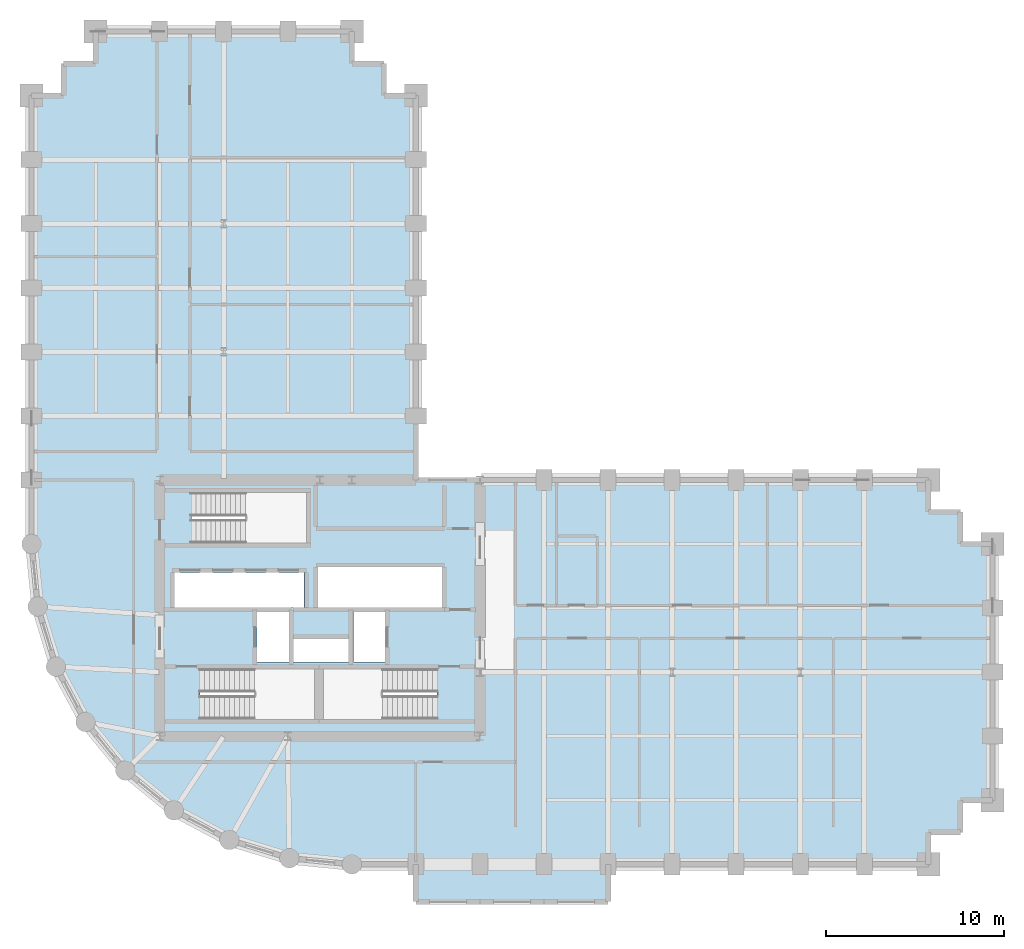
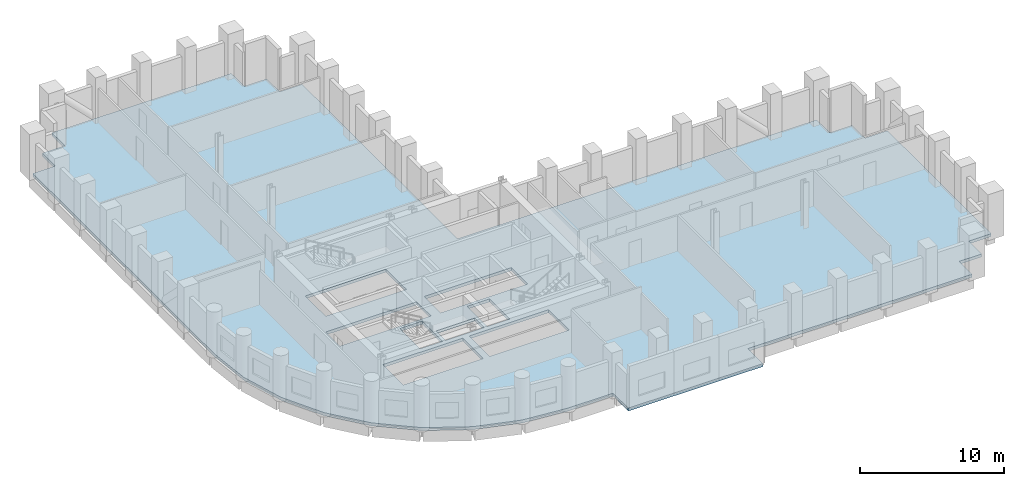
# One storey, part 4 of 9: 1 slab.
"""IFC4 building model written with IfcOpenShell, lengths in metres."""

from ifc_helpers import new_model, si_unit, direction, frame, origin, place, context, subcontext, project, spatial, polyline, outline, extrude, material, layer, layer_set, type_object, element, save


model = new_model("IFC4")

# Units and contexts
model_context = context("Model", 3, precision=1e-05, world=origin(), true_north=direction((0.0, 1.0)))
body_context = subcontext(model_context, "Body", "Model", "MODEL_VIEW")
ifc_project = project(units=[si_unit("LENGTHUNIT", "METRE"), si_unit("AREAUNIT", "SQUARE_METRE"), si_unit("VOLUMEUNIT", "CUBIC_METRE"), si_unit("PLANEANGLEUNIT", "RADIAN"), si_unit("MASSUNIT", "GRAM", prefix="KILO")], contexts=[model_context])

# Site, building, storey
site_placement = place(None, origin())
site = spatial("IfcSite", under=ifc_project, at=site_placement, CompositionType="ELEMENT")
building_placement = place(site_placement, origin())
building = spatial("IfcBuilding", under=site, at=building_placement, Name="Solnavia Interchange Tower", CompositionType="ELEMENT")
storey_placement = place(building_placement, frame((0.0, 0.0, 59.10009765625)))
storey = spatial("IfcBuildingStorey", under=building, at=storey_placement, Name="L14", CompositionType="ELEMENT", Elevation=59.10009765625)

# Slab
ifc_material = material(Name="Concrete C40/50", Category="concrete")
ifc_layer = layer(ifc_material, 0.25)
ifc_layer_set = layer_set([ifc_layer], Name="Concrete C40/50")
slab_type = type_object("IfcSlabType", Name="Slab-Tower-250", PredefinedType="FLOOR", material=ifc_layer_set)
slab_placement = place(storey_placement, frame((0.0, 0.0, -0.25)))
element("IfcSlab", 1, at=slab_placement, inside=storey, type_object=slab_type, Name="SLB-L14-01 Structural floor slab", PredefinedType="FLOOR", context=body_context, shape_type="SweptSolid", body=[
    extrude(outline(polyline([(25.199951171875, 3.60009765625), (28.800048828125, 3.60009765625), (28.800048828125, 1.5), (39.60009765625, 1.5), (39.60009765625, 3.60009765625), (57.60009765625, 3.60009765625), (57.60009765625, 5.39990234375), (59.39990234375, 5.39990234375), (59.39990234375, 7.199951171875), (61.199951171875, 7.199951171875), (61.199951171875, 21.60009765625), (59.39990234375, 21.60009765625), (59.39990234375, 23.39990234375), (57.60009765625, 23.39990234375), (57.60009765625, 25.199951171875), (28.800048828125, 25.199951171875), (28.800048828125, 46.800048828125), (27.0, 46.800048828125), (27.0, 48.60009765625), (25.199951171875, 48.60009765625), (25.199951171875, 50.39990234375), (10.800048828125, 50.39990234375), (10.800048828125, 48.60009765625), (9.0, 48.60009765625), (9.0, 46.800048828125), (7.199951171875, 46.800048828125), (7.199951171875, 21.60009765625), (7.5458984375, 18.087890625), (8.570068359375, 14.7119140625), (10.23388671875, 11.60009765625), (12.471923828125, 8.8720703125), (15.199951171875, 6.634033203125), (18.31201171875, 4.969970703125), (21.68798828125, 3.946044921875), (25.199951171875, 3.60009765625)]), holes=[polyline([(16.675048828125, 11.75), (23.10009765625, 11.75), (23.10009765625, 14.590087890625), (16.675048828125, 14.590087890625), (16.675048828125, 11.75)]), polyline([(23.60009765625, 11.75), (29.97509765625, 11.75), (29.97509765625, 14.590087890625), (23.60009765625, 14.590087890625), (23.60009765625, 11.75)]), polyline([(16.175048828125, 21.64990234375), (22.64990234375, 21.64990234375), (22.64990234375, 24.489990234375), (16.175048828125, 24.489990234375), (16.175048828125, 21.64990234375)]), polyline([(19.8798828125, 14.9599609375), (21.679931640625, 14.9599609375), (21.679931640625, 17.780029296875), (19.8798828125, 17.780029296875), (19.8798828125, 14.9599609375)]), polyline([(25.280029296875, 14.9599609375), (27.080078125, 14.9599609375), (27.080078125, 17.780029296875), (25.280029296875, 17.780029296875), (25.280029296875, 14.9599609375)]), polyline([(21.919921875, 14.9599609375), (25.02001953125, 14.9599609375), (25.02001953125, 16.280029296875), (21.919921875, 16.280029296875), (21.919921875, 14.9599609375)]), polyline([(15.219970703125, 18.02001953125), (22.52001953125, 18.02001953125), (22.52001953125, 20.0), (15.219970703125, 20.0), (15.219970703125, 18.02001953125)]), polyline([(23.300048828125, 18.02001953125), (30.280029296875, 18.02001953125), (30.280029296875, 20.300048828125), (23.300048828125, 20.300048828125), (23.300048828125, 18.02001953125)])]), origin(), (0.0, 0.0, 1.0), 0.25),
])

save(model, "model.ifc")
